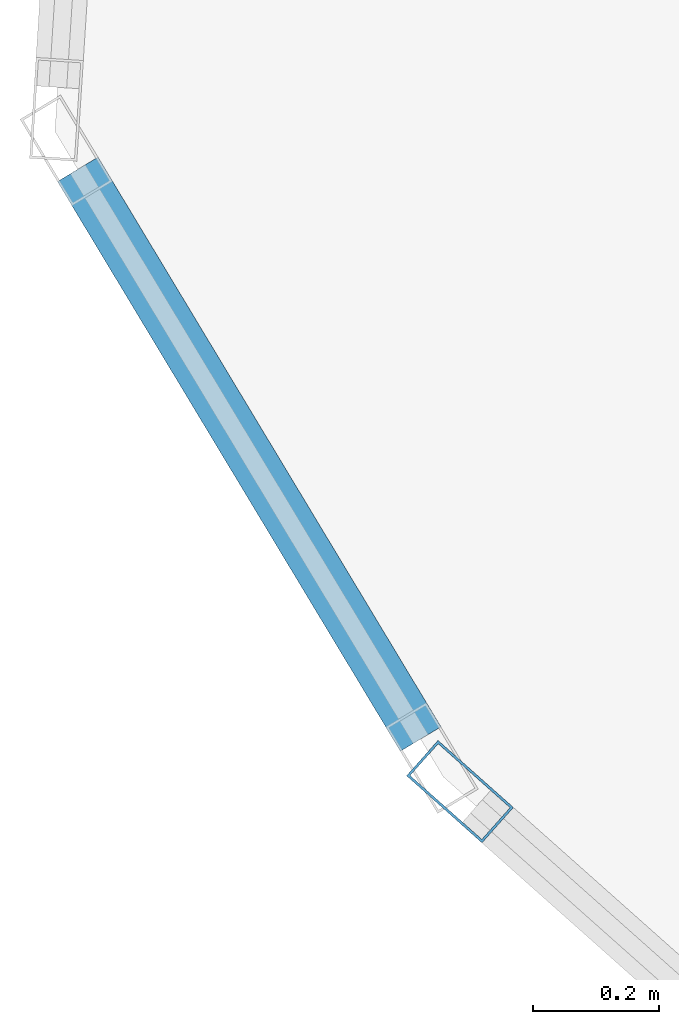
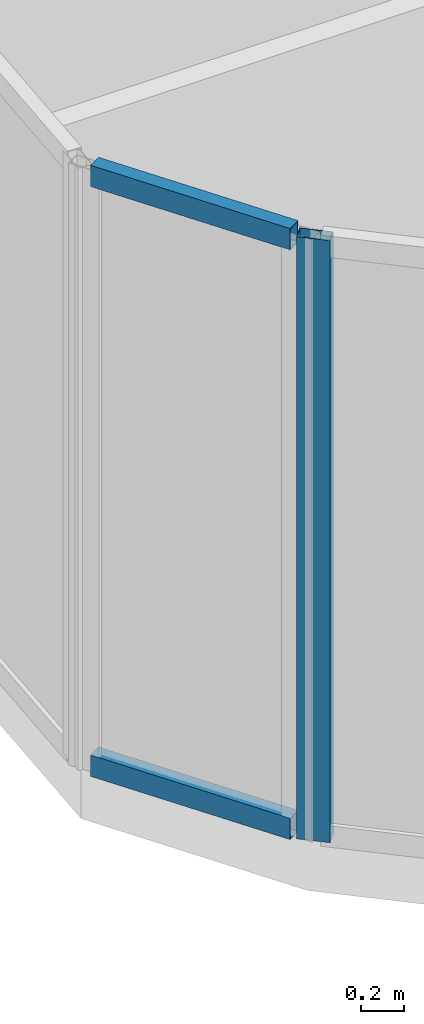
# One storey, part 4 of 28: 3 members, 2 elements without a shape of their own.
"""IFC4 building model written with IfcOpenShell, lengths in metres."""

from ifc_helpers import new_model, si_unit, direction, frame, origin, origin_2d, place, context, subcontext, project, spatial, hollow_rectangle, extrude, material, layer, layer_set, material_profile, profile_set, type_object, element, aggregate, save


model = new_model("IFC4")

# Units and contexts
model_context = context("Model", 3, precision=1e-05, world=origin(), true_north=direction((0.0, 1.0)))
body_context = subcontext(model_context, "Body", "Model", "MODEL_VIEW")
ifc_project = project(units=[si_unit("LENGTHUNIT", "METRE"), si_unit("AREAUNIT", "SQUARE_METRE"), si_unit("VOLUMEUNIT", "CUBIC_METRE"), si_unit("PLANEANGLEUNIT", "RADIAN"), si_unit("MASSUNIT", "GRAM", prefix="KILO")], contexts=[model_context])

# Site, building, storey
site_placement = place(None, origin())
site = spatial("IfcSite", under=ifc_project, at=site_placement, CompositionType="ELEMENT")
building_placement = place(site_placement, origin())
building = spatial("IfcBuilding", under=site, at=building_placement, Name="Keshet Zoharim Tower", CompositionType="ELEMENT")
storey_placement = place(building_placement, frame((0.0, 0.0, 258.39990234375)))
storey = spatial("IfcBuildingStorey", under=building, at=storey_placement, Name="L64", CompositionType="ELEMENT", Elevation=258.39990234375)

# Curtain wall, member
ifc_material = material(Name="Aluminium 6063-T6", Category="aluminium")
ifc_layer = layer(ifc_material, 0.260009765625)
ifc_layer_set = layer_set([ifc_layer], Name="Aluminium 6063-T6")
curtain_wall_type = type_object("IfcCurtainWallType", Name="CW-SYS-06", PredefinedType="NOTDEFINED", material=ifc_layer_set)
curtain_wall_1_placement = place(storey_placement, origin())
curtain_wall_1 = element("IfcCurtainWall", 1, at=curtain_wall_1_placement, inside=storey, type_object=curtain_wall_type, Name="L64 Unitised Curtain Wall 16 Part 3", PredefinedType="NOTDEFINED")
ifc_material_profile_1 = material_profile(ifc_material, hollow_rectangle(XDim=0.074951171875, YDim=0.159912109375, WallThickness=0.00390625, at=origin_2d()), Name="MUL-75x160")
ifc_profile_set_1 = profile_set([ifc_material_profile_1], Name="Aluminium 6063-T6")
member_type_1 = type_object("IfcMemberType", Name="CWM-M15", PredefinedType="MULLION", material=ifc_profile_set_1)
member_1_placement = place(storey_placement, frame((4.061279296875, 21.7568359375, 0.0), z_axis=(0.0, 0.0, 1.0), x_axis=(-0.664363838836, -0.747409318679, 0.0)))
member_1 = element("IfcMember", 2, at=member_1_placement, type_object=member_type_1, Name="CW-06 mullion 2", PredefinedType="MULLION", context=body_context, shape_type="SweptSolid", body=[
    extrude(hollow_rectangle(XDim=0.074951171875, YDim=0.159912109375, WallThickness=0.00390625, at=origin_2d()), origin(), (0.0, 0.0, 1.0), 3.39013671875),
])
aggregate(curtain_wall_1, [member_1])

# Curtain wall, members
curtain_wall_2_placement = place(storey_placement, origin())
curtain_wall_2 = element("IfcCurtainWall", 3, at=curtain_wall_2_placement, inside=storey, type_object=curtain_wall_type, Name="L64 Unitised Curtain Wall 01", PredefinedType="NOTDEFINED")
ifc_material_profile_2 = material_profile(ifc_material, hollow_rectangle(XDim=0.074951171875, YDim=0.1201171875, WallThickness=0.00390625, at=origin_2d()), Name="TRN-75x120")
ifc_profile_set_2 = profile_set([ifc_material_profile_2], Name="Aluminium 6063-T6")
member_type_2 = type_object("IfcMemberType", Name="CWT-T12", PredefinedType="USERDEFINED", material=ifc_profile_set_2)
member_2_placement = place(storey_placement, frame((3.9990234375, 21.840087890625, 0.03515625), z_axis=(-0.515791194107, 0.856714330499, 0.0), x_axis=(-0.856714330499, -0.515791194107, 0.0)))
member_2 = element("IfcMember", 4, at=member_2_placement, type_object=member_type_2, Name="CW-06 transom 1.1", ObjectType="TRANSOM", PredefinedType="USERDEFINED", context=body_context, shape_type="SweptSolid", body=[
    extrude(hollow_rectangle(XDim=0.074951171875, YDim=0.1201171875, WallThickness=0.00390625, at=origin_2d()), origin(), (0.0, 0.0, 1.0), 1.052734375),
])
member_3_placement = place(storey_placement, frame((3.9990234375, 21.840087890625, 3.35498046875), z_axis=(-0.515791194107, 0.856714330499, 0.0), x_axis=(-0.856714330499, -0.515791194107, 0.0)))
member_3 = element("IfcMember", 5, at=member_3_placement, type_object=member_type_2, Name="CW-06 transom 1.2", ObjectType="TRANSOM", PredefinedType="USERDEFINED", context=body_context, shape_type="SweptSolid", body=[
    extrude(hollow_rectangle(XDim=0.074951171875, YDim=0.1201171875, WallThickness=0.00390625, at=origin_2d()), origin(), (0.0, 0.0, 1.0), 1.052734375),
])
aggregate(curtain_wall_2, [member_2, member_3])

save(model, "model.ifc")
